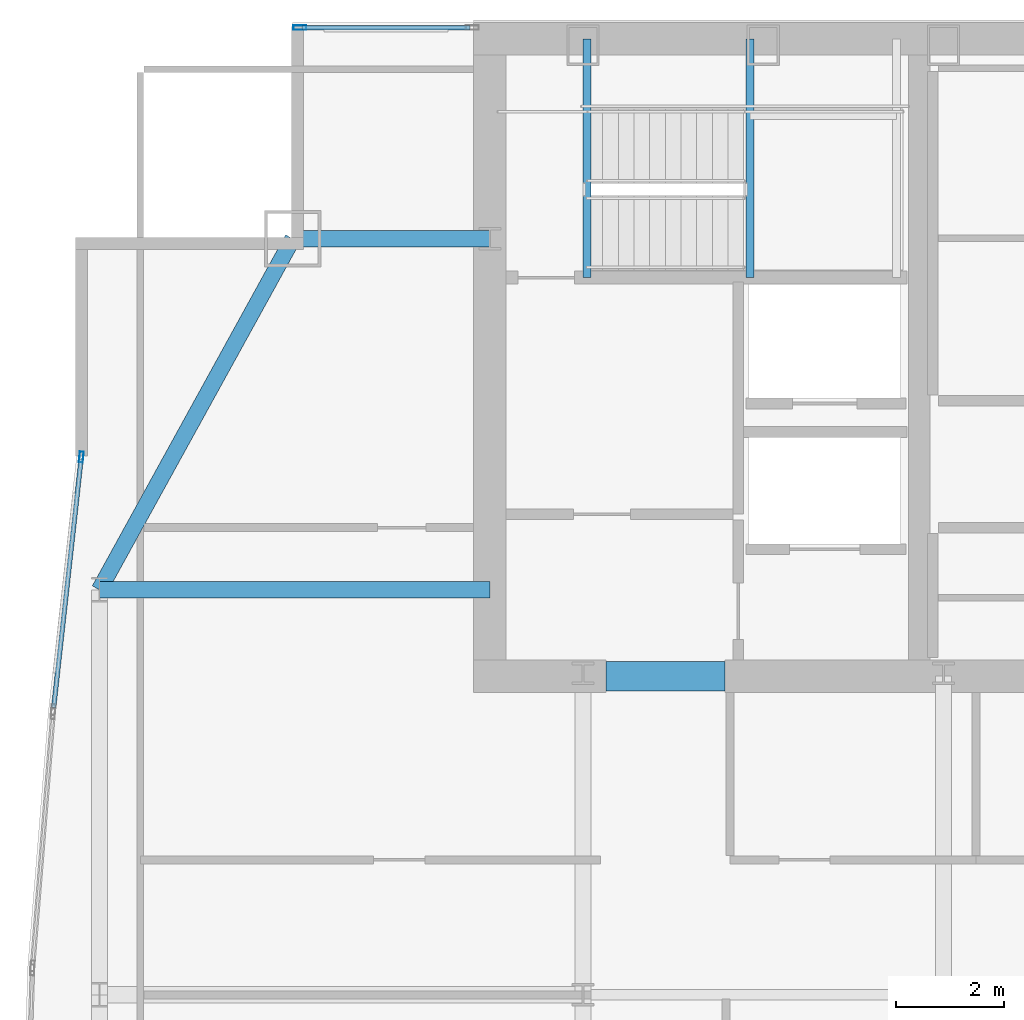
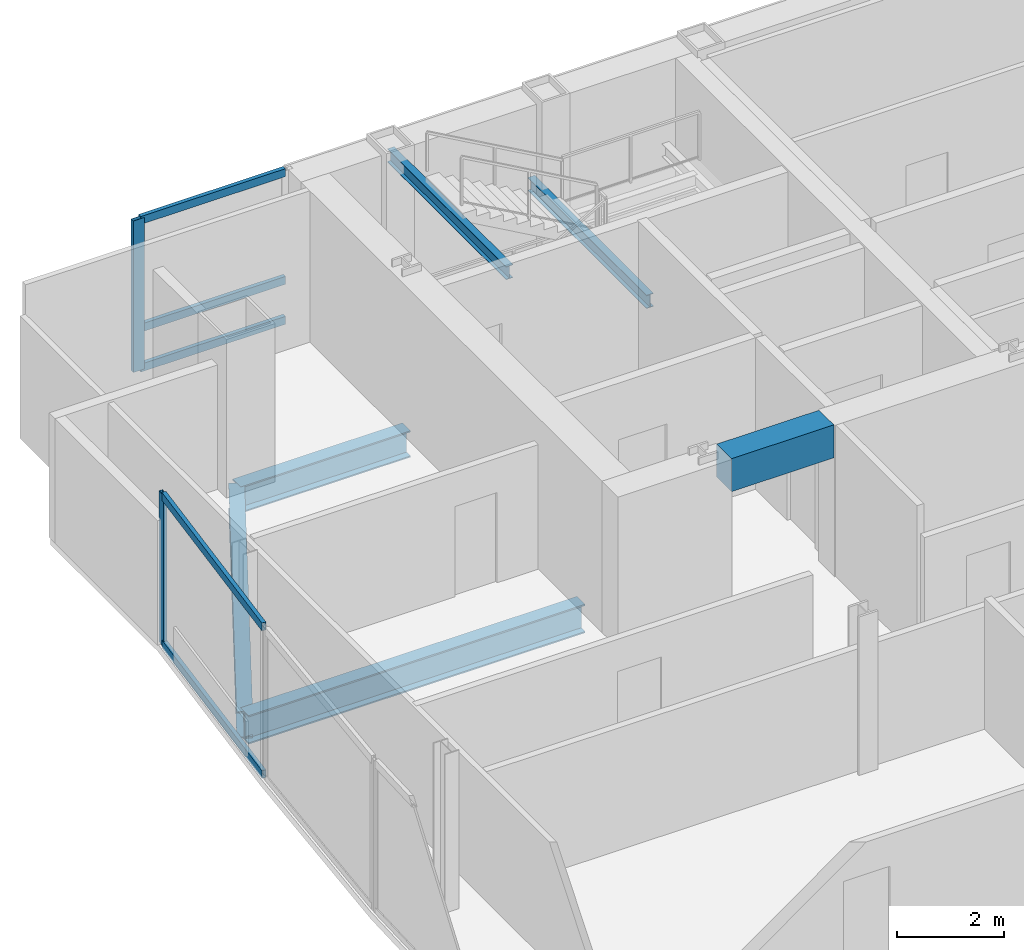
# One storey, part 19 of 29: 7 members, 6 beams, 2 elements without a shape of their own.
"""IFC4 building model written with IfcOpenShell, lengths in metres."""

from ifc_helpers import new_model, si_unit, direction, frame, origin, origin_2d, place, context, subcontext, project, spatial, rectangle, hollow_rectangle, i_section, extrude, material, material_profile, profile_set, type_object, element, aggregate, save


model = new_model("IFC4")

# Units and contexts
model_context = context("Model", 3, precision=1e-05, world=origin(), true_north=direction((0.0, 1.0)))
body_context = subcontext(model_context, "Body", "Model", "MODEL_VIEW")
ifc_project = project(units=[si_unit("LENGTHUNIT", "METRE"), si_unit("AREAUNIT", "SQUARE_METRE"), si_unit("VOLUMEUNIT", "CUBIC_METRE"), si_unit("PLANEANGLEUNIT", "RADIAN"), si_unit("MASSUNIT", "GRAM", prefix="KILO")], contexts=[model_context])

# Site, building, storey
site_placement = place(None, origin())
site = spatial("IfcSite", under=ifc_project, at=site_placement, CompositionType="ELEMENT")
building_placement = place(site_placement, origin())
building = spatial("IfcBuilding", under=site, at=building_placement, Name="Khoronbel Lancet Exchange", CompositionType="ELEMENT")
storey_placement = place(building_placement, frame((0.0, 0.0, 242.60009765625)))
storey = spatial("IfcBuildingStorey", under=building, at=storey_placement, Name="L62", CompositionType="ELEMENT", Elevation=242.60009765625)

# Beams
ifc_material_1 = material(Name="Steel S355", Category="steel")
ifc_material_profile_1 = material_profile(ifc_material_1, i_section(OverallWidth=0.300048828125, OverallDepth=0.64990234375, WebThickness=0.01611328125, FlangeThickness=0.031005859375, at=origin_2d()), Name="HEB 650")
ifc_profile_set_1 = profile_set([ifc_material_profile_1], Name="Steel S355")
beam_type_1 = type_object("IfcBeamType", Name="BM-BG4", PredefinedType="BEAM", material=ifc_profile_set_1)
beam_1_placement = place(storey_placement, frame((9.27001953125, 43.199951171875, -0.485107421875), z_axis=(1.0, 0.0, 0.0), x_axis=(0.0, 1.0, 0.0)))
element("IfcBeam", 1, at=beam_1_placement, inside=storey, type_object=beam_type_1, Name="Level L62 west lens tie girder LG3W", PredefinedType="BEAM", context=body_context, shape_type="SweptSolid", body=[
    extrude(i_section(OverallWidth=0.300048828125, OverallDepth=0.64990234375, WebThickness=0.01611328125, FlangeThickness=0.031005859375, at=origin_2d()), origin(), (0.0, 0.0, 1.0), 7.22998046875),
])
ifc_material_profile_2 = material_profile(ifc_material_1, i_section(OverallWidth=0.14990234375, OverallDepth=0.300048828125, WebThickness=0.007080078125, FlangeThickness=0.0107421875, at=origin_2d()), Name="IPE 300")
ifc_profile_set_2 = profile_set([ifc_material_profile_2], Name="Steel S355")
beam_type_2 = type_object("IfcBeamType", Name="BM-BJ8", PredefinedType="JOIST", material=ifc_profile_set_2)
for number, where, z_axis, x_axis, name in (
    (2, (21.320068359375, 48.97998046875, 1.449951171875), (0.0, 1.0, 0.0), (-1.0, 0.0, 0.0), "Level L62 stair ST1 landing bearer beam 1"),
    (3, (18.300048828125, 48.97998046875, 3.159912109375), (0.0, 1.0, 0.0), (-1.0, 0.0, 0.0), "Level L62 stair ST1 upper-flight arrival trimmer beam"),
):
    element("IfcBeam", number, at=place(storey_placement, frame(where, z_axis=z_axis, x_axis=x_axis)), inside=storey, type_object=beam_type_2, Name=name, PredefinedType="JOIST", context=body_context, shape_type="SweptSolid", body=[
        extrude(i_section(OverallWidth=0.14990234375, OverallDepth=0.300048828125, WebThickness=0.007080078125, FlangeThickness=0.0107421875, at=origin_2d()), origin(), (0.0, 0.0, 1.0), 4.419921875),
    ])
ifc_material_2 = material(Name="Concrete C60/75", Category="concrete")
ifc_material_profile_3 = material_profile(ifc_material_2, rectangle(XDim=0.550048828125, YDim=0.75, at=origin_2d()), Name="RC 550x750")
ifc_profile_set_3 = profile_set([ifc_material_profile_3], Name="Concrete C60/75")
beam_type_3 = type_object("IfcBeamType", Name="BM-BL2", PredefinedType="LINTEL", material=ifc_profile_set_3)
beam_2_placement = place(storey_placement, frame((18.64990234375, 41.60009765625, 3.06494140625), z_axis=(1.0, 0.0, 0.0), x_axis=(0.0, 1.0, 0.0)))
element("IfcBeam", 4, at=beam_2_placement, inside=storey, type_object=beam_type_3, Name="Level L62 rear core coupling lintel L1", PredefinedType="LINTEL", context=body_context, shape_type="SweptSolid", body=[
    extrude(rectangle(XDim=0.550048828125, YDim=0.75, at=origin_2d()), origin(), (0.0, 0.0, 1.0), 2.2001953125),
])
ifc_material_profile_4 = material_profile(ifc_material_1, i_section(OverallWidth=0.300048828125, OverallDepth=0.60009765625, WebThickness=0.015380859375, FlangeThickness=0.030029296875, at=origin_2d()), Name="HEB 600")
ifc_profile_set_4 = profile_set([ifc_material_profile_4], Name="Steel S355")
beam_type_4 = type_object("IfcBeamType", Name="BM-BSP2", PredefinedType="SPANDREL", material=ifc_profile_set_4)
beam_3_placement = place(storey_placement, frame((12.85009765625, 49.699951171875, -0.460205078125), z_axis=(-0.482444051088, -0.875926787791, 0.0), x_axis=(0.875926787791, -0.482444051088, 0.0)))
element("IfcBeam", 5, at=beam_3_placement, inside=storey, type_object=beam_type_4, Name="Level L62 perimeter spandrel beam SP16", PredefinedType="SPANDREL", context=body_context, shape_type="SweptSolid", body=[
    extrude(i_section(OverallWidth=0.300048828125, OverallDepth=0.60009765625, WebThickness=0.015380859375, FlangeThickness=0.030029296875, at=origin_2d()), origin(), (0.0, 0.0, 1.0), 7.420654296875),
])
beam_4_placement = place(storey_placement, frame((12.85009765625, 49.699951171875, -0.460205078125), z_axis=(1.0, 0.0, 0.0), x_axis=(0.0, 1.0, 0.0)))
element("IfcBeam", 6, at=beam_4_placement, inside=storey, type_object=beam_type_4, Name="Level L62 north flank tie spandrel SP22", PredefinedType="SPANDREL", context=body_context, shape_type="SweptSolid", body=[
    extrude(i_section(OverallWidth=0.300048828125, OverallDepth=0.60009765625, WebThickness=0.015380859375, FlangeThickness=0.030029296875, at=origin_2d()), origin(), (0.0, 0.0, 1.0), 3.64990234375),
])

# Curtain wall, member
ifc_material_3 = material(Name="Low-E Solar Control Insulating Glass", Category="glass")
curtain_wall_type_1 = type_object("IfcCurtainWallType", Name="CW-3", PredefinedType="NOTDEFINED", material=ifc_material_3)
curtain_wall_1_placement = place(storey_placement, origin())
curtain_wall_1 = element("IfcCurtainWall", 7, at=curtain_wall_1_placement, inside=storey, type_object=curtain_wall_type_1, Name="Unitised curtain wall CW-L62-NWFLK", PredefinedType="NOTDEFINED")
ifc_material_4 = material(Name="Bronze-Anodised Aluminium 6063-T6", Category="aluminium")
ifc_material_profile_5 = material_profile(ifc_material_4, hollow_rectangle(XDim=0.0849609375, YDim=0.239990234375, WallThickness=0.006103515625, at=origin_2d()), Name="ALU MULLION 85x240")
ifc_profile_set_5 = profile_set([ifc_material_profile_5], Name="Bronze-Anodised Aluminium 6063-T6")
member_type_1 = type_object("IfcMemberType", Name="MEM-CWM1", PredefinedType="MULLION", material=ifc_profile_set_5)
member_1_placement = place(storey_placement, frame((12.982421875, 53.610107421875, 0.0), z_axis=(0.0, 0.0, 1.0), x_axis=(0.0, -1.0, 0.0)))
member_1 = element("IfcMember", 8, at=member_1_placement, type_object=member_type_1, Name="CW3 mullion 2", PredefinedType="MULLION", context=body_context, shape_type="SweptSolid", body=[
    extrude(hollow_rectangle(XDim=0.0849609375, YDim=0.239990234375, WallThickness=0.006103515625, at=origin_2d()), origin(), (0.0, 0.0, 1.0), 3.43994140625),
])

# Curtain wall, members
curtain_wall_type_2 = type_object("IfcCurtainWallType", Name="CW-4", PredefinedType="NOTDEFINED", material=ifc_material_3)
curtain_wall_2_placement = place(storey_placement, origin())
curtain_wall_2 = element("IfcCurtainWall", 9, at=curtain_wall_2_placement, inside=storey, type_object=curtain_wall_type_2, Name="Unitised curtain wall CW-L62-E09", PredefinedType="NOTDEFINED")
ifc_material_profile_6 = material_profile(ifc_material_4, hollow_rectangle(XDim=0.074951171875, YDim=0.199951171875, WallThickness=0.0048828125, at=origin_2d()), Name="ALU MULLION 75x200")
ifc_profile_set_6 = profile_set([ifc_material_profile_6], Name="Bronze-Anodised Aluminium 6063-T6")
member_type_2 = type_object("IfcMemberType", Name="MEM-CWM2", PredefinedType="MULLION", material=ifc_profile_set_6)
member_2_placement = place(storey_placement, frame((8.935791015625, 45.65771484375, 0.0), z_axis=(0.0, 0.0, 1.0), x_axis=(-0.993947317123, 0.109857775256, 0.0)))
member_2 = element("IfcMember", 10, at=member_2_placement, type_object=member_type_2, Name="CW4 mullion 2", PredefinedType="MULLION", context=body_context, shape_type="SweptSolid", body=[
    extrude(hollow_rectangle(XDim=0.074951171875, YDim=0.199951171875, WallThickness=0.0048828125, at=origin_2d()), origin(), (0.0, 0.0, 1.0), 3.43994140625),
])
ifc_material_profile_7 = material_profile(ifc_material_4, hollow_rectangle(XDim=0.0849609375, YDim=0.179931640625, WallThickness=0.0048828125, at=origin_2d()), Name="ALU TRANSOM 85x180")
ifc_profile_set_7 = profile_set([ifc_material_profile_7], Name="Bronze-Anodised Aluminium 6063-T6")
member_type_3 = type_object("IfcMemberType", Name="MEM-CWT1", PredefinedType="USERDEFINED", material=ifc_profile_set_7)
member_3_placement = place(storey_placement, frame((8.4228515625, 41.015869140625, 0.04248046875), z_axis=(0.109829937442, 0.993950393552, 0.0), x_axis=(-0.993950393552, 0.109829937442, 0.0)))
member_3 = element("IfcMember", 11, at=member_3_placement, type_object=member_type_3, Name="CW4 transom 1.1", ObjectType="TRANSOM", PredefinedType="USERDEFINED", context=body_context, shape_type="SweptSolid", body=[
    extrude(hollow_rectangle(XDim=0.0849609375, YDim=0.179931640625, WallThickness=0.0048828125, at=origin_2d()), origin(), (0.0, 0.0, 1.0), 4.632568359375),
])
member_4_placement = place(storey_placement, frame((8.4228515625, 41.015869140625, 3.3974609375), z_axis=(0.109829937442, 0.993950393552, 0.0), x_axis=(-0.993950393552, 0.109829937442, 0.0)))
member_4 = element("IfcMember", 12, at=member_4_placement, type_object=member_type_3, Name="CW4 transom 1.2", ObjectType="TRANSOM", PredefinedType="USERDEFINED", context=body_context, shape_type="SweptSolid", body=[
    extrude(hollow_rectangle(XDim=0.0849609375, YDim=0.179931640625, WallThickness=0.0048828125, at=origin_2d()), origin(), (0.0, 0.0, 1.0), 4.632568359375),
])
aggregate(curtain_wall_2, [member_2, member_3, member_4])

# Member
member_5_placement = place(storey_placement, frame((16.135009765625, 53.610107421875, 0.04248046875), z_axis=(-1.0, 0.0, 0.0), x_axis=(0.0, -1.0, 0.0)))
member_5 = element("IfcMember", 13, at=member_5_placement, type_object=member_type_3, Name="CW3 transom 1.1", ObjectType="TRANSOM", PredefinedType="USERDEFINED", context=body_context, shape_type="SweptSolid", body=[
    extrude(hollow_rectangle(XDim=0.0849609375, YDim=0.179931640625, WallThickness=0.0048828125, at=origin_2d()), origin(), (0.0, 0.0, 1.0), 3.110107421875),
])

member_6_placement = place(storey_placement, frame((16.135009765625, 53.610107421875, 0.949951171875), z_axis=(-1.0, 0.0, 0.0), x_axis=(0.0, -1.0, 0.0)))
member_6 = element("IfcMember", 14, at=member_6_placement, type_object=member_type_3, Name="CW3 transom 1.2", ObjectType="TRANSOM", PredefinedType="USERDEFINED", context=body_context, shape_type="SweptSolid", body=[
    extrude(hollow_rectangle(XDim=0.0849609375, YDim=0.179931640625, WallThickness=0.0048828125, at=origin_2d()), origin(), (0.0, 0.0, 1.0), 3.110107421875),
])

member_7_placement = place(storey_placement, frame((16.135009765625, 53.610107421875, 3.3974609375), z_axis=(-1.0, 0.0, 0.0), x_axis=(0.0, -1.0, 0.0)))
member_7 = element("IfcMember", 15, at=member_7_placement, type_object=member_type_3, Name="CW3 transom 1.3", ObjectType="TRANSOM", PredefinedType="USERDEFINED", context=body_context, shape_type="SweptSolid", body=[
    extrude(hollow_rectangle(XDim=0.0849609375, YDim=0.179931640625, WallThickness=0.0048828125, at=origin_2d()), origin(), (0.0, 0.0, 1.0), 3.110107421875),
])

aggregate(curtain_wall_1, [member_1, member_5, member_6, member_7])

save(model, "model.ifc")
